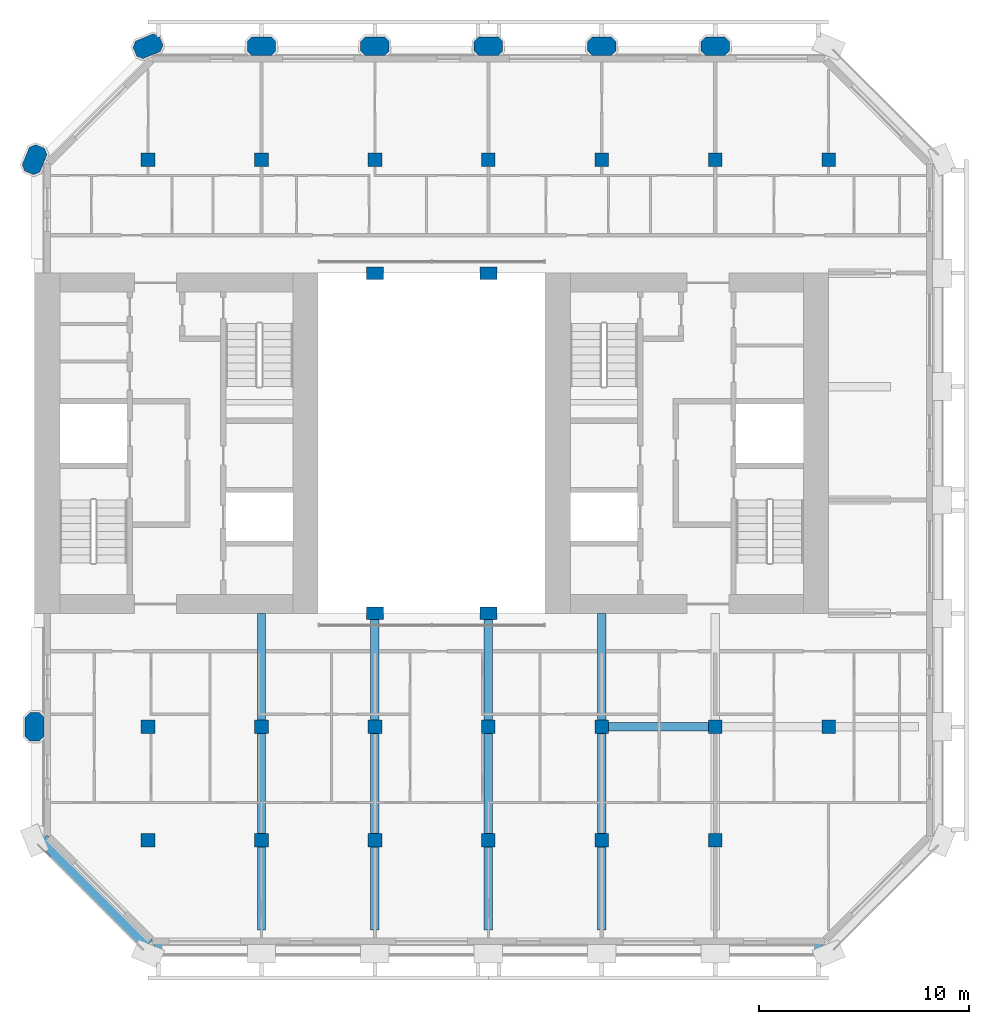
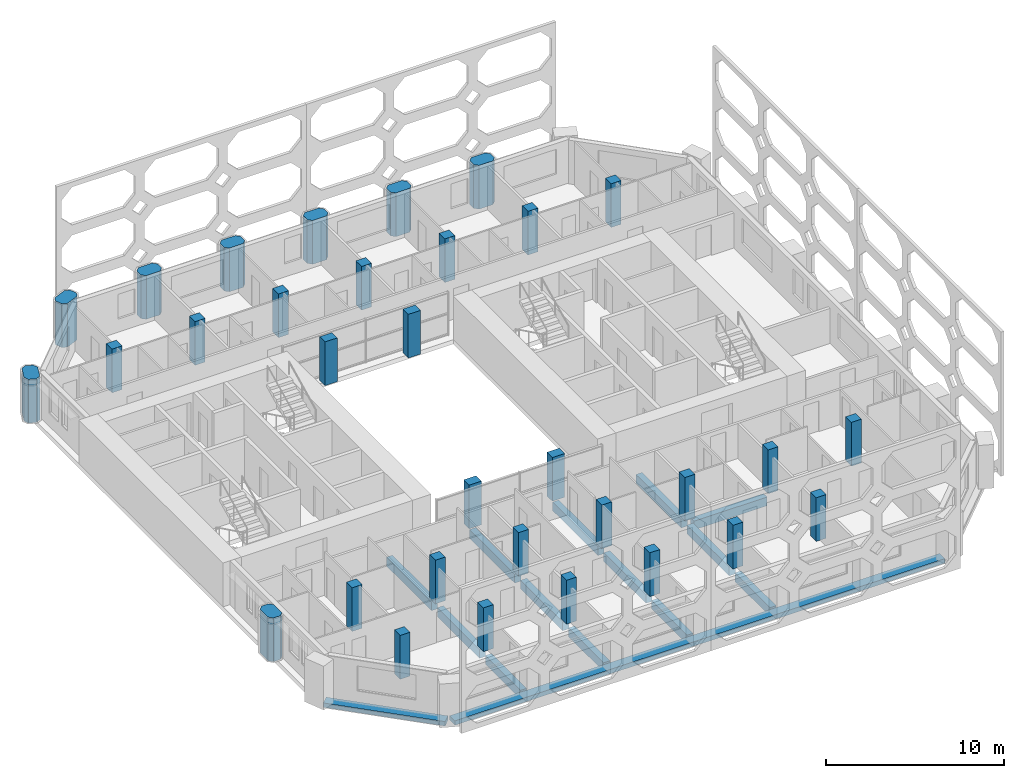
# One storey, part 1 of 15: 32 columns, 15 beams.
"""IFC4 building model written with IfcOpenShell, lengths in metres."""

import ifcopenshell
import ifcopenshell.guid

model = None  # the IFC model being written
_history = None  # IfcOwnerHistory: only IFC2X3 demands one
_inside = {}  # id of a spatial element -> (the spatial element, [elements in it])
_under = {}  # id of a project, library or spatial element -> (it, [spatial elements below it])
_declared = {}  # id of a project -> (the project, [libraries it declares])
_typed = {}  # id of a type object -> (the type object, [elements of that type])
_made_of = {}  # id of a material, layer set ... -> (it, [elements and type objects made of it])


def new_model(schema):
    """Start an empty IFC model of exactly this schema.

    Asked for "IFC4X3", IfcOpenShell would pick the latest addendum, in which some entities
    have other attributes; the version numbers below select the first issue.
    IFC2X3 requires an IfcOwnerHistory on every rooted entity: one is made here for all.
    """
    global model, _history
    if schema == "IFC4X3":
        model = ifcopenshell.file(schema_version=(4, 3, 0, 0))
    else:
        model = ifcopenshell.file(schema=schema)
    _inside.clear()
    _under.clear()
    _declared.clear()
    _typed.clear()
    _made_of.clear()
    _history = None
    if model.schema == "IFC2X3":
        org = make("IfcOrganization", Name="unknown")
        user = make(
            "IfcPersonAndOrganization",
            ThePerson=make("IfcPerson", FamilyName="unknown"),
            TheOrganization=org,
        )
        app = make(
            "IfcApplication",
            ApplicationDeveloper=org,
            Version="unknown",
            ApplicationFullName="unknown",
            ApplicationIdentifier="unknown",
        )
        _history = make(
            "IfcOwnerHistory",
            OwningUser=user,
            OwningApplication=app,
            ChangeAction="ADDED",
            CreationDate=0,
        )
    return model


def make(cls, **values):
    """One entity of the class cls with the attributes given. An attribute that is None is left unset."""
    return model.create_entity(
        cls, **{name: value for name, value in values.items() if value is not None}
    )


def rooted(cls, **values):
    """An entity with a GlobalId (a new one), such as an element, a storey or a relation."""
    return make(cls, GlobalId=ifcopenshell.guid.new(), OwnerHistory=_history, **values)


def si_unit(unit_type, name, prefix=None):
    """IfcSIUnit, for example si_unit("LENGTHUNIT", "METRE", prefix="MILLI")."""
    return make("IfcSIUnit", UnitType=unit_type, Prefix=prefix, Name=name)


def assignment(units):
    """IfcUnitAssignment: the units of a project."""
    return None if units is None else make("IfcUnitAssignment", Units=units)


def point(xyz):
    """IfcCartesianPoint."""
    return None if xyz is None else make("IfcCartesianPoint", Coordinates=xyz)


def direction(xyz):
    """IfcDirection."""
    return None if xyz is None else make("IfcDirection", DirectionRatios=xyz)


def frame(location, z_axis=None, x_axis=None):
    """IfcAxis2Placement3D, a coordinate frame: its origin and axes. An axis left out is left unset."""
    return make(
        "IfcAxis2Placement3D",
        Location=point(location),
        Axis=direction(z_axis),
        RefDirection=direction(x_axis),
    )


def frame_2d(location, x_axis=None):
    """IfcAxis2Placement2D, a coordinate frame in the plane: its origin and x axis."""
    return make(
        "IfcAxis2Placement2D", Location=point(location), RefDirection=direction(x_axis)
    )


def origin():
    """The frame at (0, 0, 0) with its axes left unset."""
    return frame((0.0, 0.0, 0.0))


def origin_2d():
    """The frame at (0, 0) in the plane with its x axis left unset."""
    return frame_2d((0.0, 0.0))


def place(relative_to, where):
    """IfcLocalPlacement: puts the frame where relative to a parent placement (None: the world)."""
    return make(
        "IfcLocalPlacement", PlacementRelTo=relative_to, RelativePlacement=where
    )


def context(
    kind, dimensions, precision=None, world=None, true_north=None, identifier=None
):
    """IfcGeometricRepresentationContext, for example the 3D "Model" context."""
    return make(
        "IfcGeometricRepresentationContext",
        ContextIdentifier=identifier,
        ContextType=kind,
        CoordinateSpaceDimension=dimensions,
        Precision=precision,
        WorldCoordinateSystem=world,
        TrueNorth=true_north,
    )


def subcontext(parent, identifier, kind, view, scale=None):
    """IfcGeometricRepresentationSubContext, for example "Body" below "Model"."""
    return make(
        "IfcGeometricRepresentationSubContext",
        ContextIdentifier=identifier,
        ContextType=kind,
        ParentContext=parent,
        TargetScale=scale,
        TargetView=view,
    )


def project(units=None, contexts=None):
    """IfcProject with its units and contexts."""
    return rooted(
        "IfcProject",
        Name="project",
        RepresentationContexts=contexts,
        UnitsInContext=assignment(units),
    )


def spatial(cls, under=None, at=None, **own):
    """A site, building, storey or space (cls), placed at a placement, below another one or the project."""
    s = rooted(cls, ObjectPlacement=at, **own)
    if under is not None:
        _under.setdefault(under.id(), (under, []))[1].append(s)
    return s


def polyline(points):
    """IfcPolyline through the points."""
    return make("IfcPolyline", Points=[point(p) for p in points])


def profile(cls, at=None, kind="AREA", **sizes):
    """A parametric profile (cls). Its sizes go by their IFC names, for example OverallWidth=200.0."""
    return make(cls, ProfileType=kind, Position=at, **sizes)


def rectangle(**sizes):
    """IfcRectangleProfileDef."""
    return profile("IfcRectangleProfileDef", **sizes)


def outline(outer, holes=None, kind="AREA"):
    """IfcArbitraryClosedProfileDef: a profile drawn as a closed curve; with holes, ...WithVoids."""
    if holes is None:
        return make("IfcArbitraryClosedProfileDef", ProfileType=kind, OuterCurve=outer)
    return make(
        "IfcArbitraryProfileDefWithVoids",
        ProfileType=kind,
        OuterCurve=outer,
        InnerCurves=holes,
    )


def extrude(swept, where, along, depth):
    """IfcExtrudedAreaSolid: the profile swept, set in the frame where, extruded along a direction by depth."""
    return make(
        "IfcExtrudedAreaSolid",
        SweptArea=swept,
        Position=where,
        ExtrudedDirection=direction(along),
        Depth=depth,
    )


def shape(context_of_items, identifier, shape_type, items):
    """IfcShapeRepresentation: the items that make up one representation, for example the "Body"."""
    return make(
        "IfcShapeRepresentation",
        ContextOfItems=context_of_items,
        RepresentationIdentifier=identifier,
        RepresentationType=shape_type,
        Items=items,
    )


def material(Name=None, Category=None):
    """IfcMaterial."""
    return make("IfcMaterial", Name=Name, Category=Category)


def material_profile(
    of_material, cross_section, Name=None, Category=None, Priority=None
):
    """IfcMaterialProfile: a cross section and its material."""
    return make(
        "IfcMaterialProfile",
        Name=Name,
        Material=of_material,
        Profile=cross_section,
        Priority=Priority,
        Category=Category,
    )


def profile_set(profiles, Name=None, composite=None):
    """IfcMaterialProfileSet."""
    return make(
        "IfcMaterialProfileSet",
        Name=Name,
        MaterialProfiles=profiles,
        CompositeProfile=composite,
    )


def made_of(thing, what):
    """Note that an element or type object is made of a material, layer set ...; save() writes the relation."""
    if what is not None:
        _made_of.setdefault(what.id(), (what, []))[1].append(thing)
    return thing


def type_object(cls, material=None, **own):
    """A type object (cls), such as IfcWallType, which elements share."""
    return made_of(rooted(cls, **own), material)


def element(
    cls,
    number,
    at=None,
    inside=None,
    cuts=None,
    type_object=None,
    material=None,
    context=None,
    identifier="Body",
    shape_type=None,
    held_by="IfcProductDefinitionShape",
    body=None,
    shapes=None,
    **own,
):
    """One element of the class cls, such as IfcWall. Its Tag is "e" and its number.

    at: its placement. inside: the storey or other place that contains it. cuts: it is an
    opening in that element (IfcRelVoidsElement). A single representation is given by context,
    identifier, shape_type and body (its items); several are given by shapes. held_by: the class
    of the entity that holds the representations. save() writes the other relations.
    """
    e = rooted(cls, Tag="e%d" % number, ObjectPlacement=at, **own)
    if body is not None:
        shapes = [shape(context, identifier, shape_type, body)]
    if shapes is not None:
        e.Representation = make(held_by, Representations=shapes)
    if inside is not None:
        _inside.setdefault(inside.id(), (inside, []))[1].append(e)
    if cuts is not None:
        rooted(
            "IfcRelVoidsElement", RelatingBuildingElement=cuts, RelatedOpeningElement=e
        )
    if type_object is not None:
        _typed.setdefault(type_object.id(), (type_object, []))[1].append(e)
    return made_of(e, material)


def aggregate(whole, parts):
    """IfcRelAggregates: a whole, such as a stair, and the parts it consists of."""
    return rooted("IfcRelAggregates", RelatingObject=whole, RelatedObjects=parts)


def save(model, path):
    """Write the relations noted so far, then the file.

    IfcRelAggregates (storeys below a building ...), IfcRelContainedInSpatialStructure (elements
    in a storey), IfcRelDefinesByType, IfcRelAssociatesMaterial and IfcRelDeclares: one each for
    every whole, place, type object, material and project.
    """
    for whole, parts in _under.values():
        aggregate(whole, parts)
    for where, things in _inside.values():
        rooted(
            "IfcRelContainedInSpatialStructure",
            RelatedElements=things,
            RelatingStructure=where,
        )
    for kind, things in _typed.values():
        rooted("IfcRelDefinesByType", RelatedObjects=things, RelatingType=kind)
    for what, things in _made_of.values():
        rooted("IfcRelAssociatesMaterial", RelatedObjects=things, RelatingMaterial=what)
    for by, libraries in _declared.values():
        rooted("IfcRelDeclares", RelatingContext=by, RelatedDefinitions=libraries)
    model.write(path)


model = new_model("IFC4")

# Units and contexts
model_context = context("Model", 3, precision=1e-05, world=origin(), true_north=direction((0.0, 1.0)))
body_context = subcontext(model_context, "Body", "Model", "MODEL_VIEW")
ifc_project = project(units=[si_unit("LENGTHUNIT", "METRE"), si_unit("AREAUNIT", "SQUARE_METRE"), si_unit("VOLUMEUNIT", "CUBIC_METRE"), si_unit("PLANEANGLEUNIT", "RADIAN"), si_unit("MASSUNIT", "GRAM", prefix="KILO")], contexts=[model_context])

# Site, building, storey
site_placement = place(None, origin())
site = spatial("IfcSite", under=ifc_project, at=site_placement, CompositionType="ELEMENT")
building_placement = place(site_placement, origin())
building = spatial("IfcBuilding", under=site, at=building_placement, Name="Tabaq Tower and Sports Hall", CompositionType="ELEMENT")
storey_placement = place(building_placement, frame((0.0, 0.0, 278.5)))
storey = spatial("IfcBuildingStorey", under=building, at=storey_placement, Name="L68", CompositionType="ELEMENT", Elevation=278.5)

# Columns
ifc_material_1 = material(Name="Concrete C40/50", Category="concrete")
ifc_material_profile_1 = material_profile(ifc_material_1, rectangle(XDim=0.800048828125, YDim=0.60009765625, at=origin_2d()), Name="ATRIUM COLUMN 800x600")
ifc_profile_set_1 = profile_set([ifc_material_profile_1], Name="Concrete C40/50")
column_type_1 = type_object("IfcColumnType", Name="RC COLUMN ATRIUM COLUMN 800x600 C40/50", PredefinedType="COLUMN", material=ifc_profile_set_1)
for number, where, z_axis, x_axis, name in (
    (1, (21.60009765625, 16.199951171875, 0.0), (0.0, 0.0, 1.0), (1.0, 0.0, 0.0), "Atrium Column 5/D L68"),
    (2, (27.0, 16.199951171875, 0.0), (0.0, 0.0, 1.0), (1.0, 0.0, 0.0), "Atrium Column 6/D L68"),
    (3, (21.60009765625, 32.39990234375, 0.0), (0.0, 0.0, 1.0), (1.0, 0.0, 0.0), "Atrium Column 5/G L68"),
    (4, (27.0, 32.39990234375, 0.0), (0.0, 0.0, 1.0), (1.0, 0.0, 0.0), "Atrium Column 6/G L68"),
):
    element("IfcColumn", number, at=place(storey_placement, frame(where, z_axis=z_axis, x_axis=x_axis)), inside=storey, type_object=column_type_1, Name=name, PredefinedType="COLUMN", context=body_context, shape_type="SweptSolid", body=[
        extrude(rectangle(XDim=0.800048828125, YDim=0.60009765625, at=origin_2d()), origin(), (0.0, 0.0, 1.0), 3.0),
    ])
ifc_material_2 = material(Name="Concrete C40/50", Category="concrete")
ifc_material_profile_2 = material_profile(ifc_material_2, rectangle(XDim=0.64990234375, YDim=0.64990234375, at=origin_2d()), Name="COLUMN 650x650")
ifc_profile_set_2 = profile_set([ifc_material_profile_2], Name="Concrete C40/50")
column_type_2 = type_object("IfcColumnType", Name="RC COLUMN COLUMN 650x650 C40/50", PredefinedType="COLUMN", material=ifc_profile_set_2)
for number, where, z_axis, x_axis, name in (
    (5, (10.800048828125, 5.39990234375, 0.0), (0.0, 0.0, 1.0), (1.0, 0.0, 0.0), "Column 3/B L68"),
    (6, (16.199951171875, 5.39990234375, 0.0), (0.0, 0.0, 1.0), (1.0, 0.0, 0.0), "Column 4/B L68"),
    (7, (21.60009765625, 5.39990234375, 0.0), (0.0, 0.0, 1.0), (1.0, 0.0, 0.0), "Column 5/B L68"),
    (8, (27.0, 5.39990234375, 0.0), (0.0, 0.0, 1.0), (1.0, 0.0, 0.0), "Column 6/B L68"),
    (9, (32.39990234375, 5.39990234375, 0.0), (0.0, 0.0, 1.0), (1.0, 0.0, 0.0), "Column 7/B L68"),
    (10, (37.800048828125, 5.39990234375, 0.0), (0.0, 0.0, 1.0), (1.0, 0.0, 0.0), "Column 8/B L68"),
    (11, (10.800048828125, 10.800048828125, 0.0), (0.0, 0.0, 1.0), (1.0, 0.0, 0.0), "Column 3/C L68"),
    (12, (16.199951171875, 10.800048828125, 0.0), (0.0, 0.0, 1.0), (1.0, 0.0, 0.0), "Column 4/C L68"),
    (13, (21.60009765625, 10.800048828125, 0.0), (0.0, 0.0, 1.0), (1.0, 0.0, 0.0), "Column 5/C L68"),
    (14, (27.0, 10.800048828125, 0.0), (0.0, 0.0, 1.0), (1.0, 0.0, 0.0), "Column 6/C L68"),
    (15, (32.39990234375, 10.800048828125, 0.0), (0.0, 0.0, 1.0), (1.0, 0.0, 0.0), "Column 7/C L68"),
    (16, (37.800048828125, 10.800048828125, 0.0), (0.0, 0.0, 1.0), (1.0, 0.0, 0.0), "Column 8/C L68"),
    (17, (43.199951171875, 10.800048828125, 0.0), (0.0, 0.0, 1.0), (1.0, 0.0, 0.0), "Column 9/C L68"),
    (18, (10.800048828125, 37.800048828125, 0.0), (0.0, 0.0, 1.0), (1.0, 0.0, 0.0), "Column 3/H L68"),
    (19, (16.199951171875, 37.800048828125, 0.0), (0.0, 0.0, 1.0), (1.0, 0.0, 0.0), "Column 4/H L68"),
    (20, (21.60009765625, 37.800048828125, 0.0), (0.0, 0.0, 1.0), (1.0, 0.0, 0.0), "Column 5/H L68"),
    (21, (27.0, 37.800048828125, 0.0), (0.0, 0.0, 1.0), (1.0, 0.0, 0.0), "Column 6/H L68"),
    (22, (32.39990234375, 37.800048828125, 0.0), (0.0, 0.0, 1.0), (1.0, 0.0, 0.0), "Column 7/H L68"),
    (23, (37.800048828125, 37.800048828125, 0.0), (0.0, 0.0, 1.0), (1.0, 0.0, 0.0), "Column 8/H L68"),
    (24, (43.199951171875, 37.800048828125, 0.0), (0.0, 0.0, 1.0), (1.0, 0.0, 0.0), "Column 9/H L68"),
):
    element("IfcColumn", number, at=place(storey_placement, frame(where, z_axis=z_axis, x_axis=x_axis)), inside=storey, type_object=column_type_2, Name=name, PredefinedType="COLUMN", context=body_context, shape_type="SweptSolid", body=[
        extrude(rectangle(XDim=0.64990234375, YDim=0.64990234375, at=origin_2d()), origin(), (0.0, 0.0, 1.0), 3.0),
    ])
ifc_material_3 = material(Name="Concrete C40/50", Category="concrete")
ifc_material_profile_3 = material_profile(ifc_material_3, outline(polyline([(-0.449951171875, -0.449951171875), (0.449951171875, -0.449951171875), (0.675048828125, -0.22509765625), (0.675048828125, 0.22509765625), (0.449951171875, 0.449951171875), (-0.449951171875, 0.449951171875), (-0.675048828125, 0.22509765625), (-0.675048828125, -0.22509765625), (-0.449951171875, -0.449951171875)])), Name="PIER 1350x900")
ifc_profile_set_3 = profile_set([ifc_material_profile_3], Name="Concrete C40/50")
column_type_3 = type_object("IfcColumnType", Name="RC COLUMN PIER 1350x900 C40/50", PredefinedType="COLUMN", material=ifc_profile_set_3)
for number, where, z_axis, x_axis, name in (
    (25, (5.39990234375, 10.800048828125, 0.0), (0.0, 0.0, 1.0), (0.0, 1.0, 0.0), "Pier 2/C L68"),
    (26, (5.39990234375, 37.800048828125, 0.0), (0.0, 0.0, 1.0), (0.382683432365, 0.923879532511, 0.0), "Pier 2/H L68"),
    (27, (10.800048828125, 43.199951171875, 0.0), (0.0, 0.0, 1.0), (0.923879532511, 0.382683432365, 0.0), "Pier 3/I L68"),
    (28, (16.199951171875, 43.199951171875, 0.0), (0.0, 0.0, 1.0), (1.0, 0.0, 0.0), "Pier 4/I L68"),
    (29, (21.60009765625, 43.199951171875, 0.0), (0.0, 0.0, 1.0), (1.0, 0.0, 0.0), "Pier 5/I L68"),
    (30, (27.0, 43.199951171875, 0.0), (0.0, 0.0, 1.0), (1.0, 0.0, 0.0), "Pier 6/I L68"),
    (31, (32.39990234375, 43.199951171875, 0.0), (0.0, 0.0, 1.0), (1.0, 0.0, 0.0), "Pier 7/I L68"),
    (32, (37.800048828125, 43.199951171875, 0.0), (0.0, 0.0, 1.0), (1.0, 0.0, 0.0), "Pier 8/I L68"),
):
    element("IfcColumn", number, at=place(storey_placement, frame(where, z_axis=z_axis, x_axis=x_axis)), inside=storey, type_object=column_type_3, Name=name, PredefinedType="COLUMN", context=body_context, shape_type="SweptSolid", body=[
        extrude(outline(polyline([(-0.449951171875, -0.449951171875), (0.449951171875, -0.449951171875), (0.675048828125, -0.22509765625), (0.675048828125, 0.22509765625), (0.449951171875, 0.449951171875), (-0.449951171875, 0.449951171875), (-0.675048828125, 0.22509765625), (-0.675048828125, -0.22509765625), (-0.449951171875, -0.449951171875)])), origin(), (0.0, 0.0, 1.0), 3.0),
    ])

# Beams
ifc_material_4 = material(Name="Concrete C40/50", Category="concrete")
ifc_material_profile_4 = material_profile(ifc_material_4, rectangle(XDim=0.39990234375, YDim=0.60009765625, at=origin_2d()), Name="CB 400x600")
ifc_profile_set_4 = profile_set([ifc_material_profile_4], Name="Concrete C40/50")
beam_type_1 = type_object("IfcBeamType", Name="PT CANTILEVER BEAM CB 400x600 C40/50", PredefinedType="BEAM", material=ifc_profile_set_4)
beam_1_placement = place(storey_placement, frame((37.47509765625, 10.800048828125, -0.60009765625), z_axis=(-1.0, 0.0, 0.0), x_axis=(0.0, -1.0, 0.0)))
element("IfcBeam", 33, at=beam_1_placement, inside=storey, type_object=beam_type_1, Name="Cantilever Beam L68 E2 span 3", PredefinedType="BEAM", context=body_context, shape_type="SweptSolid", body=[
    extrude(rectangle(XDim=0.39990234375, YDim=0.60009765625, at=origin_2d()), origin(), (0.0, 0.0, 1.0), 4.75),
])
beam_2_placement = place(storey_placement, frame((16.199951171875, 1.125, -0.60009765625), z_axis=(0.0, 1.0, 0.0), x_axis=(-1.0, 0.0, 0.0)))
element("IfcBeam", 34, at=beam_2_placement, inside=storey, type_object=beam_type_1, Name="Cantilever Beam L68 S3 span 1", PredefinedType="BEAM", context=body_context, shape_type="SweptSolid", body=[
    extrude(rectangle(XDim=0.39990234375, YDim=0.60009765625, at=origin_2d()), origin(), (0.0, 0.0, 1.0), 3.949951171875),
])
beam_3_placement = place(storey_placement, frame((16.199951171875, 5.72509765625, -0.60009765625), z_axis=(0.0, 1.0, 0.0), x_axis=(-1.0, 0.0, 0.0)))
element("IfcBeam", 35, at=beam_3_placement, inside=storey, type_object=beam_type_1, Name="Cantilever Beam L68 S3 span 2", PredefinedType="BEAM", context=body_context, shape_type="SweptSolid", body=[
    extrude(rectangle(XDim=0.39990234375, YDim=0.60009765625, at=origin_2d()), origin(), (0.0, 0.0, 1.0), 4.75),
])
beam_4_placement = place(storey_placement, frame((16.199951171875, 11.125, -0.60009765625), z_axis=(0.0, 1.0, 0.0), x_axis=(-1.0, 0.0, 0.0)))
element("IfcBeam", 36, at=beam_4_placement, inside=storey, type_object=beam_type_1, Name="Cantilever Beam L68 S3 span 3", PredefinedType="BEAM", context=body_context, shape_type="SweptSolid", body=[
    extrude(rectangle(XDim=0.39990234375, YDim=0.60009765625, at=origin_2d()), origin(), (0.0, 0.0, 1.0), 5.074951171875),
])
beam_5_placement = place(storey_placement, frame((21.60009765625, 1.125, -0.60009765625), z_axis=(0.0, 1.0, 0.0), x_axis=(-1.0, 0.0, 0.0)))
element("IfcBeam", 37, at=beam_5_placement, inside=storey, type_object=beam_type_1, Name="Cantilever Beam L68 S4 span 1", PredefinedType="BEAM", context=body_context, shape_type="SweptSolid", body=[
    extrude(rectangle(XDim=0.39990234375, YDim=0.60009765625, at=origin_2d()), origin(), (0.0, 0.0, 1.0), 3.949951171875),
])
beam_6_placement = place(storey_placement, frame((21.60009765625, 5.72509765625, -0.60009765625), z_axis=(0.0, 1.0, 0.0), x_axis=(-1.0, 0.0, 0.0)))
element("IfcBeam", 38, at=beam_6_placement, inside=storey, type_object=beam_type_1, Name="Cantilever Beam L68 S4 span 2", PredefinedType="BEAM", context=body_context, shape_type="SweptSolid", body=[
    extrude(rectangle(XDim=0.39990234375, YDim=0.60009765625, at=origin_2d()), origin(), (0.0, 0.0, 1.0), 4.75),
])
beam_7_placement = place(storey_placement, frame((21.60009765625, 11.125, -0.60009765625), z_axis=(0.0, 1.0, 0.0), x_axis=(-1.0, 0.0, 0.0)))
element("IfcBeam", 39, at=beam_7_placement, inside=storey, type_object=beam_type_1, Name="Cantilever Beam L68 S4 span 3", PredefinedType="BEAM", context=body_context, shape_type="SweptSolid", body=[
    extrude(rectangle(XDim=0.39990234375, YDim=0.60009765625, at=origin_2d()), origin(), (0.0, 0.0, 1.0), 5.074951171875),
])
beam_8_placement = place(storey_placement, frame((27.0, 1.125, -0.60009765625), z_axis=(0.0, 1.0, 0.0), x_axis=(-1.0, 0.0, 0.0)))
element("IfcBeam", 40, at=beam_8_placement, inside=storey, type_object=beam_type_1, Name="Cantilever Beam L68 S5 span 1", PredefinedType="BEAM", context=body_context, shape_type="SweptSolid", body=[
    extrude(rectangle(XDim=0.39990234375, YDim=0.60009765625, at=origin_2d()), origin(), (0.0, 0.0, 1.0), 3.949951171875),
])
beam_9_placement = place(storey_placement, frame((27.0, 5.72509765625, -0.60009765625), z_axis=(0.0, 1.0, 0.0), x_axis=(-1.0, 0.0, 0.0)))
element("IfcBeam", 41, at=beam_9_placement, inside=storey, type_object=beam_type_1, Name="Cantilever Beam L68 S5 span 2", PredefinedType="BEAM", context=body_context, shape_type="SweptSolid", body=[
    extrude(rectangle(XDim=0.39990234375, YDim=0.60009765625, at=origin_2d()), origin(), (0.0, 0.0, 1.0), 4.75),
])
beam_10_placement = place(storey_placement, frame((27.0, 11.125, -0.60009765625), z_axis=(0.0, 1.0, 0.0), x_axis=(-1.0, 0.0, 0.0)))
element("IfcBeam", 42, at=beam_10_placement, inside=storey, type_object=beam_type_1, Name="Cantilever Beam L68 S5 span 3", PredefinedType="BEAM", context=body_context, shape_type="SweptSolid", body=[
    extrude(rectangle(XDim=0.39990234375, YDim=0.60009765625, at=origin_2d()), origin(), (0.0, 0.0, 1.0), 5.074951171875),
])
beam_11_placement = place(storey_placement, frame((32.39990234375, 1.125, -0.60009765625), z_axis=(0.0, 1.0, 0.0), x_axis=(-1.0, 0.0, 0.0)))
element("IfcBeam", 43, at=beam_11_placement, inside=storey, type_object=beam_type_1, Name="Cantilever Beam L68 S6 span 1", PredefinedType="BEAM", context=body_context, shape_type="SweptSolid", body=[
    extrude(rectangle(XDim=0.39990234375, YDim=0.60009765625, at=origin_2d()), origin(), (0.0, 0.0, 1.0), 3.949951171875),
])
beam_12_placement = place(storey_placement, frame((32.39990234375, 5.72509765625, -0.60009765625), z_axis=(0.0, 1.0, 0.0), x_axis=(-1.0, 0.0, 0.0)))
element("IfcBeam", 44, at=beam_12_placement, inside=storey, type_object=beam_type_1, Name="Cantilever Beam L68 S6 span 2", PredefinedType="BEAM", context=body_context, shape_type="SweptSolid", body=[
    extrude(rectangle(XDim=0.39990234375, YDim=0.60009765625, at=origin_2d()), origin(), (0.0, 0.0, 1.0), 4.75),
])
beam_13_placement = place(storey_placement, frame((32.39990234375, 11.125, -0.60009765625), z_axis=(0.0, 1.0, 0.0), x_axis=(-1.0, 0.0, 0.0)))
element("IfcBeam", 45, at=beam_13_placement, inside=storey, type_object=beam_type_1, Name="Cantilever Beam L68 S6 span 3", PredefinedType="BEAM", context=body_context, shape_type="SweptSolid", body=[
    extrude(rectangle(XDim=0.39990234375, YDim=0.60009765625, at=origin_2d()), origin(), (0.0, 0.0, 1.0), 5.074951171875),
])
ifc_material_5 = material(Name="Concrete C40/50", Category="concrete")
ifc_material_profile_5 = material_profile(ifc_material_5, rectangle(XDim=0.60009765625, YDim=0.300048828125, at=origin_2d()), Name="EB 600x300")
ifc_profile_set_5 = profile_set([ifc_material_profile_5], Name="Concrete C40/50")
beam_type_2 = type_object("IfcBeamType", Name="PT EDGE BEAM EB 600x300 C40/50", PredefinedType="SPANDREL", material=ifc_profile_set_5)
beam_14_placement = place(storey_placement, frame((11.0986328125, 0.300048828125, -0.14990234375), z_axis=(1.0, 0.0, 0.0), x_axis=(0.0, 1.0, 0.0)))
element("IfcBeam", 46, at=beam_14_placement, inside=storey, type_object=beam_type_2, Name="Edge Beam L68 1", PredefinedType="SPANDREL", context=body_context, shape_type="SweptSolid", body=[
    extrude(rectangle(XDim=0.60009765625, YDim=0.300048828125, at=origin_2d()), origin(), (0.0, 0.0, 1.0), 31.802734375),
])
beam_15_placement = place(storey_placement, frame((5.788818359375, 5.435302734375, -0.14990234375), z_axis=(0.707124002701, -0.707089559252, 0.0), x_axis=(0.707089559252, 0.707124002701, 0.0)))
element("IfcBeam", 47, at=beam_15_placement, inside=storey, type_object=beam_type_2, Name="Edge Beam L68 5", PredefinedType="SPANDREL", context=body_context, shape_type="SweptSolid", body=[
    extrude(rectangle(XDim=0.60009765625, YDim=0.300048828125, at=origin_2d()), origin(), (0.0, 0.0, 1.0), 7.088134765625),
])

save(model, "model.ifc")
